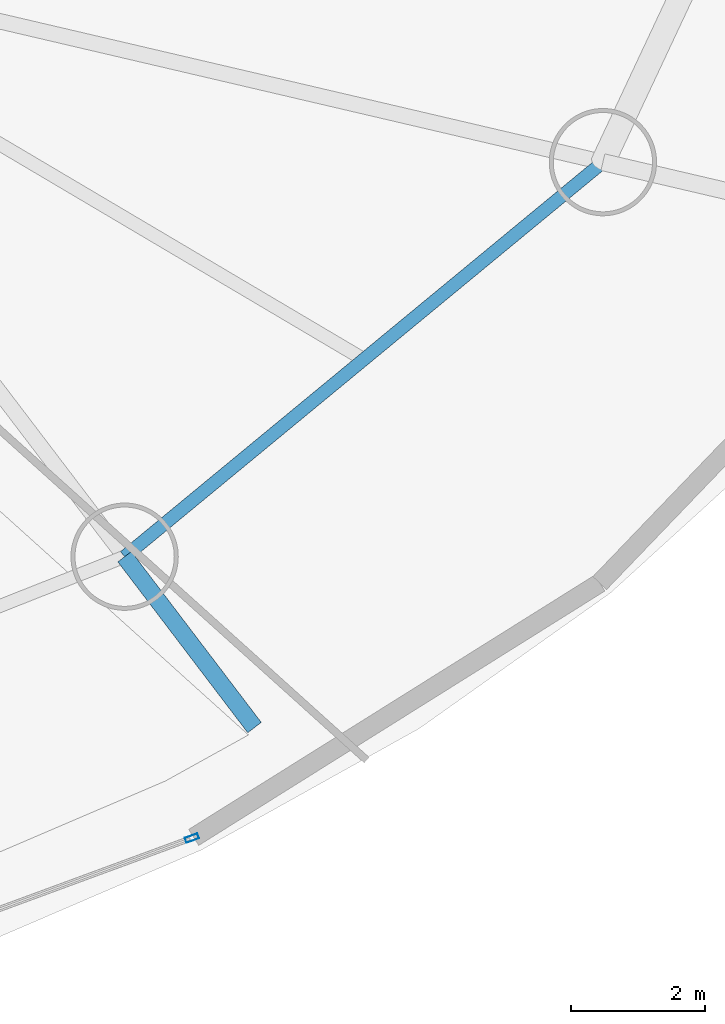
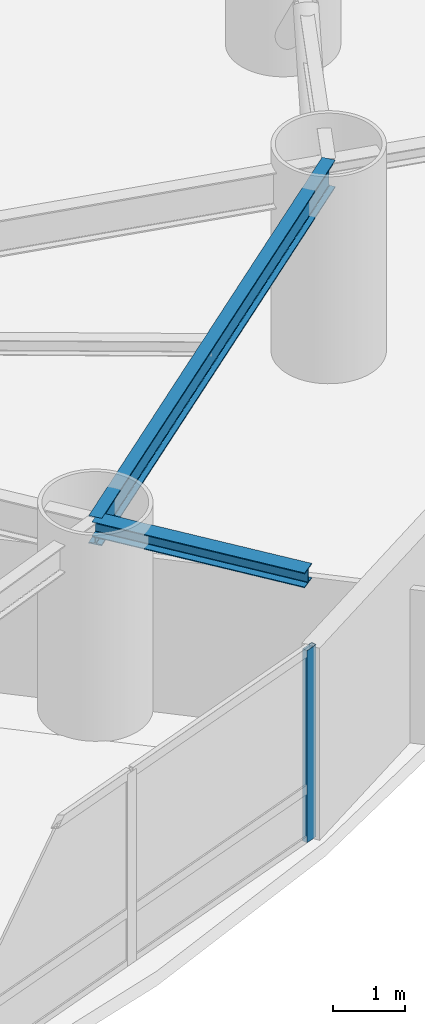
# One storey, part 11 of 30: 2 beams, 1 member, 1 element without a shape of its own.
"""IFC4 building model written with IfcOpenShell, lengths in metres."""

from ifc_helpers import new_model, si_unit, direction, frame, origin, origin_2d, place, context, subcontext, project, spatial, hollow_rectangle, i_section, extrude, material, layer, layer_set, material_profile, profile_set, type_object, element, aggregate, save


model = new_model("IFC4")

# Units and contexts
model_context = context("Model", 3, precision=1e-05, world=origin(), true_north=direction((0.0, 1.0)))
body_context = subcontext(model_context, "Body", "Model", "MODEL_VIEW")
ifc_project = project(units=[si_unit("LENGTHUNIT", "METRE"), si_unit("AREAUNIT", "SQUARE_METRE"), si_unit("VOLUMEUNIT", "CUBIC_METRE"), si_unit("PLANEANGLEUNIT", "RADIAN"), si_unit("MASSUNIT", "GRAM", prefix="KILO")], contexts=[model_context])

# Site, building, storey
site_placement = place(None, origin())
site = spatial("IfcSite", under=ifc_project, at=site_placement, CompositionType="ELEMENT")
building_placement = place(site_placement, origin())
building = spatial("IfcBuilding", under=site, at=building_placement, Name="Bramvorn Convention Spire", CompositionType="ELEMENT")
storey_placement = place(building_placement, frame((0.0, 0.0, 86.89990234375)))
storey = spatial("IfcBuildingStorey", under=building, at=storey_placement, Name="L20", CompositionType="ELEMENT", Elevation=86.89990234375)

# Beams
ifc_material_1 = material(Name="Steel CSA G40.21 Grade 350 (350W)", Category="steel")
ifc_material_profile_1 = material_profile(ifc_material_1, i_section(OverallWidth=0.25390625, OverallDepth=0.2529296875, WebThickness=0.008544921875, FlangeThickness=0.01416015625, FilletRadius=0.011962890625, at=origin_2d()))
ifc_profile_set_1 = profile_set([ifc_material_profile_1], Name="Steel CSA G40.21 Grade 350 (350W) - W250X73")
beam_type_1 = type_object("IfcBeamType", Name="BM-W250X73", PredefinedType="BEAM", material=ifc_profile_set_1)
beam_1_placement = place(storey_placement, frame((56.227783203125, 9.371337890625, 3.12353515625), z_axis=(0.605150969009, -0.796110736461, 0.0), x_axis=(0.796110736461, 0.605150969009, 0.0)))
element("IfcBeam", 1, at=beam_1_placement, inside=storey, type_object=beam_type_1, Name="L20 slab-edge cantilever tip beam MC15", PredefinedType="BEAM", context=body_context, shape_type="SweptSolid", body=[
    extrude(i_section(OverallWidth=0.25390625, OverallDepth=0.2529296875, WebThickness=0.008544921875, FlangeThickness=0.01416015625, FilletRadius=0.011962890625, at=origin_2d()), origin(), (0.0, 0.0, 1.0), 3.199951171875),
])
ifc_material_profile_2 = material_profile(ifc_material_1, i_section(OverallWidth=0.194091796875, OverallDepth=0.468994140625, WebThickness=0.0126953125, FlangeThickness=0.0205078125, FilletRadius=0.01806640625, at=origin_2d()))
ifc_profile_set_2 = profile_set([ifc_material_profile_2], Name="Steel CSA G40.21 Grade 350 (350W) - W460X106")
beam_type_2 = type_object("IfcBeamType", Name="BM-W460X106", PredefinedType="SPANDREL", material=ifc_profile_set_2)
beam_2_placement = place(storey_placement, frame((56.227783203125, 9.371337890625, 3.015625), z_axis=(0.771417680101, 0.636329130896, 0.0), x_axis=(-0.636329130896, 0.771417680101, 0.0)))
element("IfcBeam", 2, at=beam_2_placement, inside=storey, type_object=beam_type_2, Name="L20 mega-column ring beam 15", PredefinedType="SPANDREL", context=body_context, shape_type="SweptSolid", body=[
    extrude(i_section(OverallWidth=0.194091796875, OverallDepth=0.468994140625, WebThickness=0.0126953125, FlangeThickness=0.0205078125, FilletRadius=0.01806640625, at=origin_2d()), origin(), (0.0, 0.0, 1.0), 9.244140625),
])

# Curtain wall, member
ifc_material_2 = material(Name="Anodised Bronze Unitised Curtain Wall", Category="aluminium")
ifc_layer = layer(ifc_material_2, 0.179931640625)
ifc_layer_set = layer_set([ifc_layer], Name="Anodised Bronze Unitised Curtain Wall - CW-HTL-FRIT")
curtain_wall_type = type_object("IfcCurtainWallType", Name="CW-HTL-FRIT", PredefinedType="USERDEFINED", material=ifc_layer_set)
curtain_wall_placement = place(storey_placement, origin())
curtain_wall = element("IfcCurtainWall", 3, at=curtain_wall_placement, inside=storey, type_object=curtain_wall_type, Name="L20 fritted glass curtain wall 21", ObjectType="UNITISED CURTAIN WALL", PredefinedType="USERDEFINED")
ifc_material_3 = material(Name="Anodised Bronze Aluminium 6063-T6", Category="aluminium")
ifc_material_profile_3 = material_profile(ifc_material_3, hollow_rectangle(XDim=0.080078125, YDim=0.199951171875, WallThickness=0.00390625, InnerFilletRadius=0.0009765625, OuterFilletRadius=0.00390625, at=origin_2d()))
ifc_profile_set_3 = profile_set([ifc_material_profile_3], Name="Anodised Bronze Aluminium 6063-T6 - CWM80X200")
member_type = type_object("IfcMemberType", Name="CW-MUL-180", PredefinedType="MULLION", material=ifc_profile_set_3)
member_placement = place(storey_placement, frame((57.230712890625, 5.17578125, 0.0), z_axis=(0.0, 0.0, 1.0), x_axis=(0.345574215647, -0.938391422318, 0.0)))
member = element("IfcMember", 4, at=member_placement, type_object=member_type, Name="CW2 mullion 1", PredefinedType="MULLION", context=body_context, shape_type="SweptSolid", body=[
    extrude(hollow_rectangle(XDim=0.080078125, YDim=0.199951171875, WallThickness=0.00390625, InnerFilletRadius=0.0009765625, OuterFilletRadius=0.00390625, at=origin_2d()), origin(), (0.0, 0.0, 1.0), 3.25),
])
aggregate(curtain_wall, [member])

save(model, "model.ifc")
